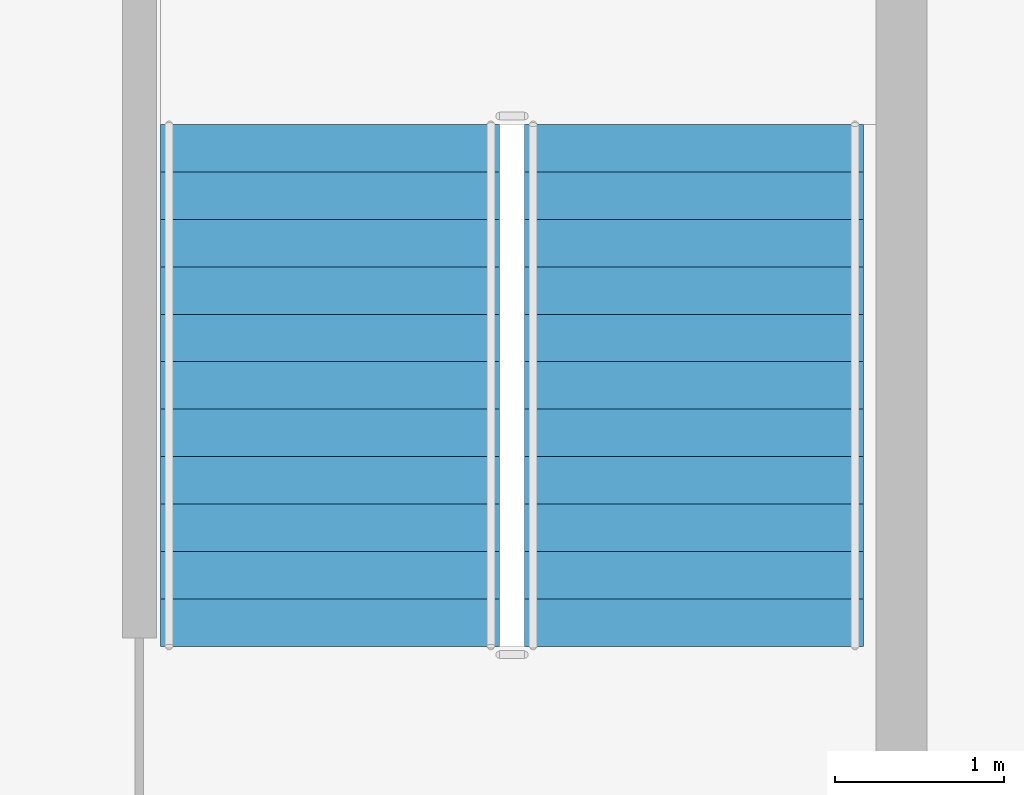
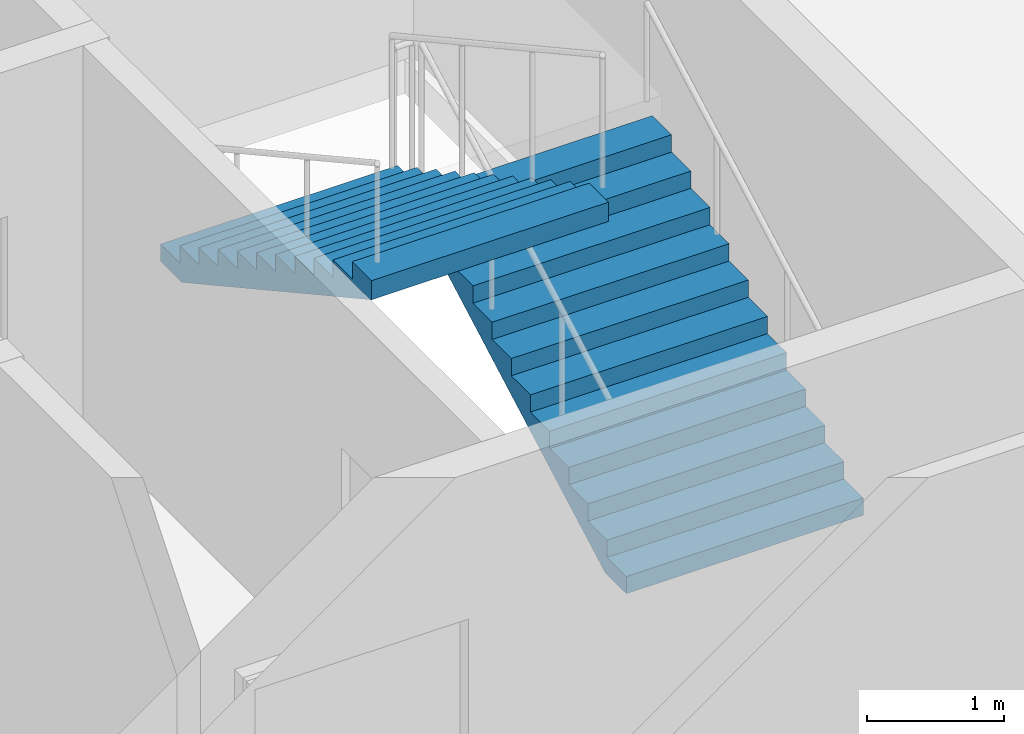
# One storey, part 9 of 12: 2 stair flights, 1 element without a shape of its own.
"""IFC4 building model written with IfcOpenShell, lengths in metres."""

from ifc_helpers import new_model, si_unit, direction, frame, origin, place, context, subcontext, project, spatial, polygons, material, type_object, element, aggregate, save


model = new_model("IFC4")

# Units and contexts
model_context = context("Model", 3, precision=1e-05, world=origin(), true_north=direction((0.0, 1.0)))
body_context = subcontext(model_context, "Body", "Model", "MODEL_VIEW")
ifc_project = project(units=[si_unit("LENGTHUNIT", "METRE"), si_unit("AREAUNIT", "SQUARE_METRE"), si_unit("VOLUMEUNIT", "CUBIC_METRE"), si_unit("PLANEANGLEUNIT", "RADIAN"), si_unit("MASSUNIT", "GRAM", prefix="KILO")], contexts=[model_context])

# Site, building, storey
site_placement = place(None, origin())
site = spatial("IfcSite", under=ifc_project, at=site_placement, CompositionType="ELEMENT")
building_placement = place(site_placement, origin())
building = spatial("IfcBuilding", under=site, at=building_placement, Name="Caravel Reach Hotel and Residences", CompositionType="ELEMENT")
storey_placement = place(building_placement, frame((0.0, 0.0, 241.60009765625)))
storey = spatial("IfcBuildingStorey", under=building, at=storey_placement, Name="L61", CompositionType="ELEMENT", Elevation=241.60009765625)

# Stair, stair flights
ifc_material_1 = material(Name="Concrete C40", Category="concrete")
stair_type = type_object("IfcStairType", Name="Core stair", PredefinedType="HALF_TURN_STAIR", material=ifc_material_1)
stair_placement = place(storey_placement, origin())
stair = element("IfcStair", 1, at=stair_placement, inside=storey, type_object=stair_type, Name="L61 Exit stair B", PredefinedType="HALF_TURN_STAIR")
ifc_material_2 = material(Name="Concrete C40", Category="concrete")
stair_flight_type = type_object("IfcStairFlightType", Name="Core stair flight", PredefinedType="STRAIGHT", material=ifc_material_2)
stair_flight_1_placement = place(storey_placement, frame((43.77490234375, 24.64990234375, 0.0), z_axis=(0.0, 0.0, 1.0), x_axis=(0.0, 1.0, 0.0)))
stair_flight_1 = element("IfcStairFlight", 2, at=stair_flight_1_placement, type_object=stair_flight_type, Name="ST-B flight 1", NumberOfRisers=12, NumberOfTreads=11, PredefinedType="STRAIGHT", RiserHeight=0.154166667, TreadLength=0.28, context=body_context, shape_type="Tessellation", body=[
    polygons([(0.3107950034306102, 1.0, 0.0), (0.3107950034306102, 0.6666666666666667, 0.0), (0.3107950034306102, 0.33333333333333337, 0.0), (0.3107950034306102, 0.0, 0.0), (0.3107950034306102, -0.33333333333333326, 0.0), (0.3107950034306102, -0.6666666666666667, 0.0), (0.3107950034306102, -1.0, 0.0), (3.081, 1.0, 1.524711087717319), (3.081, 0.6666666666666667, 1.524711087717319), (3.081, 0.33333333333333337, 1.524711087717319), (3.081, 0.0, 1.524711087717319), (3.081, -0.33333333333333326, 1.524711087717319), (3.081, -0.6666666666666667, 1.524711087717319), (3.081, -1.0, 1.524711087717319), (3.081, 1.0, 1.695833337), (3.081, 0.6666666666666667, 1.695833337), (3.081, 0.33333333333333337, 1.695833337), (3.081, 0.0, 1.695833337), (3.081, -0.33333333333333326, 1.695833337), (3.081, -0.6666666666666667, 1.695833337), (3.081, -1.0, 1.695833337), (2.8000000000000003, 1.0, 1.695833337), (2.8000000000000003, 0.6666666666666667, 1.695833337), (2.8000000000000003, 0.33333333333333337, 1.695833337), (2.8000000000000003, 0.0, 1.695833337), (2.8000000000000003, -0.33333333333333326, 1.695833337), (2.8000000000000003, -0.6666666666666667, 1.695833337), (2.8000000000000003, -1.0, 1.695833337), (2.8000000000000003, 1.0, 1.5416666700000001), (2.8000000000000003, 0.6666666666666667, 1.5416666700000001), (2.8000000000000003, 0.33333333333333337, 1.5416666700000001), (2.8000000000000003, 0.0, 1.5416666700000001), (2.8000000000000003, -0.33333333333333326, 1.5416666700000001), (2.8000000000000003, -0.6666666666666667, 1.5416666700000001), (2.8000000000000003, -1.0, 1.5416666700000001), (2.5200000000000005, 1.0, 1.5416666700000001), (2.5200000000000005, 0.6666666666666667, 1.5416666700000001), (2.5200000000000005, 0.33333333333333337, 1.5416666700000001), (2.5200000000000005, 0.0, 1.5416666700000001), (2.5200000000000005, -0.33333333333333326, 1.5416666700000001), (2.5200000000000005, -0.6666666666666667, 1.5416666700000001), (2.5200000000000005, -1.0, 1.5416666700000001), (2.5200000000000005, 1.0, 1.387500003), (2.5200000000000005, 0.6666666666666667, 1.387500003), (2.5200000000000005, 0.33333333333333337, 1.387500003), (2.5200000000000005, 0.0, 1.387500003), (2.5200000000000005, -0.33333333333333326, 1.387500003), (2.5200000000000005, -0.6666666666666667, 1.387500003), (2.5200000000000005, -1.0, 1.387500003), (2.24, 1.0, 1.387500003), (2.24, 0.6666666666666667, 1.387500003), (2.24, 0.33333333333333337, 1.387500003), (2.24, 0.0, 1.387500003), (2.24, -0.33333333333333326, 1.387500003), (2.24, -0.6666666666666667, 1.387500003), (2.24, -1.0, 1.387500003), (2.24, 1.0, 1.233333336), (2.24, 0.6666666666666667, 1.233333336), (2.24, 0.33333333333333337, 1.233333336), (2.24, 0.0, 1.233333336), (2.24, -0.33333333333333326, 1.233333336), (2.24, -0.6666666666666667, 1.233333336), (2.24, -1.0, 1.233333336), (1.9600000000000002, 1.0, 1.233333336), (1.9600000000000002, 0.6666666666666667, 1.233333336), (1.9600000000000002, 0.33333333333333337, 1.233333336), (1.9600000000000002, 0.0, 1.233333336), (1.9600000000000002, -0.33333333333333326, 1.233333336), (1.9600000000000002, -0.6666666666666667, 1.233333336), (1.9600000000000002, -1.0, 1.233333336), (1.9600000000000002, 1.0, 1.0791666690000001), (1.9600000000000002, 0.6666666666666667, 1.0791666690000001), (1.9600000000000002, 0.33333333333333337, 1.0791666690000001), (1.9600000000000002, 0.0, 1.0791666690000001), (1.9600000000000002, -0.33333333333333326, 1.0791666690000001), (1.9600000000000002, -0.6666666666666667, 1.0791666690000001), (1.9600000000000002, -1.0, 1.0791666690000001), (1.6800000000000002, 1.0, 1.0791666690000001), (1.6800000000000002, 0.6666666666666667, 1.0791666690000001), (1.6800000000000002, 0.33333333333333337, 1.0791666690000001), (1.6800000000000002, 0.0, 1.0791666690000001), (1.6800000000000002, -0.33333333333333326, 1.0791666690000001), (1.6800000000000002, -0.6666666666666667, 1.0791666690000001), (1.6800000000000002, -1.0, 1.0791666690000001), (1.6800000000000002, 1.0, 0.925000002), (1.6800000000000002, 0.6666666666666667, 0.925000002), (1.6800000000000002, 0.33333333333333337, 0.925000002), (1.6800000000000002, 0.0, 0.925000002), (1.6800000000000002, -0.33333333333333326, 0.925000002), (1.6800000000000002, -0.6666666666666667, 0.925000002), (1.6800000000000002, -1.0, 0.925000002), (1.4000000000000001, 1.0, 0.925000002), (1.4000000000000001, 0.6666666666666667, 0.925000002), (1.4000000000000001, 0.33333333333333337, 0.925000002), (1.4000000000000001, 0.0, 0.925000002), (1.4000000000000001, -0.33333333333333326, 0.925000002), (1.4000000000000001, -0.6666666666666667, 0.925000002), (1.4000000000000001, -1.0, 0.925000002), (1.4000000000000001, 1.0, 0.7708333350000001), (1.4000000000000001, 0.6666666666666667, 0.7708333350000001), (1.4000000000000001, 0.33333333333333337, 0.7708333350000001), (1.4000000000000001, 0.0, 0.7708333350000001), (1.4000000000000001, -0.33333333333333326, 0.7708333350000001), (1.4000000000000001, -0.6666666666666667, 0.7708333350000001), (1.4000000000000001, -1.0, 0.7708333350000001), (1.12, 1.0, 0.7708333350000001), (1.12, 0.6666666666666667, 0.7708333350000001), (1.12, 0.33333333333333337, 0.7708333350000001), (1.12, 0.0, 0.7708333350000001), (1.12, -0.33333333333333326, 0.7708333350000001), (1.12, -0.6666666666666667, 0.7708333350000001), (1.12, -1.0, 0.7708333350000001), (1.12, 1.0, 0.616666668), (1.12, 0.6666666666666667, 0.616666668), (1.12, 0.33333333333333337, 0.616666668), (1.12, 0.0, 0.616666668), (1.12, -0.33333333333333326, 0.616666668), (1.12, -0.6666666666666667, 0.616666668), (1.12, -1.0, 0.616666668), (0.8400000000000001, 1.0, 0.616666668), (0.8400000000000001, 0.6666666666666667, 0.616666668), (0.8400000000000001, 0.33333333333333337, 0.616666668), (0.8400000000000001, 0.0, 0.616666668), (0.8400000000000001, -0.33333333333333326, 0.616666668), (0.8400000000000001, -0.6666666666666667, 0.616666668), (0.8400000000000001, -1.0, 0.616666668), (0.8400000000000001, 1.0, 0.462500001), (0.8400000000000001, 0.6666666666666667, 0.462500001), (0.8400000000000001, 0.33333333333333337, 0.462500001), (0.8400000000000001, 0.0, 0.462500001), (0.8400000000000001, -0.33333333333333326, 0.462500001), (0.8400000000000001, -0.6666666666666667, 0.462500001), (0.8400000000000001, -1.0, 0.462500001), (0.56, 1.0, 0.462500001), (0.56, 0.6666666666666667, 0.462500001), (0.56, 0.33333333333333337, 0.462500001), (0.56, 0.0, 0.462500001), (0.56, -0.33333333333333326, 0.462500001), (0.56, -0.6666666666666667, 0.462500001), (0.56, -1.0, 0.462500001), (0.56, 1.0, 0.308333334), (0.56, 0.6666666666666667, 0.308333334), (0.56, 0.33333333333333337, 0.308333334), (0.56, 0.0, 0.308333334), (0.56, -0.33333333333333326, 0.308333334), (0.56, -0.6666666666666667, 0.308333334), (0.56, -1.0, 0.308333334), (0.28, 1.0, 0.308333334), (0.28, 0.6666666666666667, 0.308333334), (0.28, 0.33333333333333337, 0.308333334), (0.28, 0.0, 0.308333334), (0.28, -0.33333333333333326, 0.308333334), (0.28, -0.6666666666666667, 0.308333334), (0.28, -1.0, 0.308333334), (0.28, 1.0, 0.154166667), (0.28, 0.6666666666666667, 0.154166667), (0.28, 0.33333333333333337, 0.154166667), (0.28, 0.0, 0.154166667), (0.28, -0.33333333333333326, 0.154166667), (0.28, -0.6666666666666667, 0.154166667), (0.28, -1.0, 0.154166667), (-0.001, 1.0, 0.154166667), (-0.001, 0.6666666666666667, 0.154166667), (-0.001, 0.33333333333333337, 0.154166667), (-0.001, 0.0, 0.154166667), (-0.001, -0.33333333333333326, 0.154166667), (-0.001, -0.6666666666666667, 0.154166667), (-0.001, -1.0, 0.154166667), (-0.001, 1.0, 0.0), (-0.001, 0.6666666666666667, 0.0), (-0.001, 0.33333333333333337, 0.0), (-0.001, 0.0, 0.0), (-0.001, -0.33333333333333326, 0.0), (-0.001, -0.6666666666666667, 0.0), (-0.001, -1.0, 0.0)], [[[169, 162, 155, 148, 141, 134, 127, 120, 113, 106, 99, 92, 85, 78, 71, 64, 57, 50, 43, 36, 29, 22, 15, 8, 1]], [[7, 14, 21, 28, 35, 42, 49, 56, 63, 70, 77, 84, 91, 98, 105, 112, 119, 126, 133, 140, 147, 154, 161, 168, 175]], [[1, 8, 9, 2]], [[2, 9, 10, 3]], [[3, 10, 11, 4]], [[4, 11, 12, 5]], [[5, 12, 13, 6]], [[6, 13, 14, 7]], [[8, 15, 16, 9]], [[9, 16, 17, 10]], [[10, 17, 18, 11]], [[11, 18, 19, 12]], [[12, 19, 20, 13]], [[13, 20, 21, 14]], [[15, 22, 23, 16]], [[16, 23, 24, 17]], [[17, 24, 25, 18]], [[18, 25, 26, 19]], [[19, 26, 27, 20]], [[20, 27, 28, 21]], [[22, 29, 30, 23]], [[23, 30, 31, 24]], [[24, 31, 32, 25]], [[25, 32, 33, 26]], [[26, 33, 34, 27]], [[27, 34, 35, 28]], [[29, 36, 37, 30]], [[30, 37, 38, 31]], [[31, 38, 39, 32]], [[32, 39, 40, 33]], [[33, 40, 41, 34]], [[34, 41, 42, 35]], [[36, 43, 44, 37]], [[37, 44, 45, 38]], [[38, 45, 46, 39]], [[39, 46, 47, 40]], [[40, 47, 48, 41]], [[41, 48, 49, 42]], [[43, 50, 51, 44]], [[44, 51, 52, 45]], [[45, 52, 53, 46]], [[46, 53, 54, 47]], [[47, 54, 55, 48]], [[48, 55, 56, 49]], [[50, 57, 58, 51]], [[51, 58, 59, 52]], [[52, 59, 60, 53]], [[53, 60, 61, 54]], [[54, 61, 62, 55]], [[55, 62, 63, 56]], [[57, 64, 65, 58]], [[58, 65, 66, 59]], [[59, 66, 67, 60]], [[60, 67, 68, 61]], [[61, 68, 69, 62]], [[62, 69, 70, 63]], [[64, 71, 72, 65]], [[65, 72, 73, 66]], [[66, 73, 74, 67]], [[67, 74, 75, 68]], [[68, 75, 76, 69]], [[69, 76, 77, 70]], [[71, 78, 79, 72]], [[72, 79, 80, 73]], [[73, 80, 81, 74]], [[74, 81, 82, 75]], [[75, 82, 83, 76]], [[76, 83, 84, 77]], [[78, 85, 86, 79]], [[79, 86, 87, 80]], [[80, 87, 88, 81]], [[81, 88, 89, 82]], [[82, 89, 90, 83]], [[83, 90, 91, 84]], [[85, 92, 93, 86]], [[86, 93, 94, 87]], [[87, 94, 95, 88]], [[88, 95, 96, 89]], [[89, 96, 97, 90]], [[90, 97, 98, 91]], [[92, 99, 100, 93]], [[93, 100, 101, 94]], [[94, 101, 102, 95]], [[95, 102, 103, 96]], [[96, 103, 104, 97]], [[97, 104, 105, 98]], [[99, 106, 107, 100]], [[100, 107, 108, 101]], [[101, 108, 109, 102]], [[102, 109, 110, 103]], [[103, 110, 111, 104]], [[104, 111, 112, 105]], [[106, 113, 114, 107]], [[107, 114, 115, 108]], [[108, 115, 116, 109]], [[109, 116, 117, 110]], [[110, 117, 118, 111]], [[111, 118, 119, 112]], [[113, 120, 121, 114]], [[114, 121, 122, 115]], [[115, 122, 123, 116]], [[116, 123, 124, 117]], [[117, 124, 125, 118]], [[118, 125, 126, 119]], [[120, 127, 128, 121]], [[121, 128, 129, 122]], [[122, 129, 130, 123]], [[123, 130, 131, 124]], [[124, 131, 132, 125]], [[125, 132, 133, 126]], [[127, 134, 135, 128]], [[128, 135, 136, 129]], [[129, 136, 137, 130]], [[130, 137, 138, 131]], [[131, 138, 139, 132]], [[132, 139, 140, 133]], [[134, 141, 142, 135]], [[135, 142, 143, 136]], [[136, 143, 144, 137]], [[137, 144, 145, 138]], [[138, 145, 146, 139]], [[139, 146, 147, 140]], [[141, 148, 149, 142]], [[142, 149, 150, 143]], [[143, 150, 151, 144]], [[144, 151, 152, 145]], [[145, 152, 153, 146]], [[146, 153, 154, 147]], [[148, 155, 156, 149]], [[149, 156, 157, 150]], [[150, 157, 158, 151]], [[151, 158, 159, 152]], [[152, 159, 160, 153]], [[153, 160, 161, 154]], [[155, 162, 163, 156]], [[156, 163, 164, 157]], [[157, 164, 165, 158]], [[158, 165, 166, 159]], [[159, 166, 167, 160]], [[160, 167, 168, 161]], [[162, 169, 170, 163]], [[163, 170, 171, 164]], [[164, 171, 172, 165]], [[165, 172, 173, 166]], [[166, 173, 174, 167]], [[167, 174, 175, 168]], [[169, 1, 2, 170]], [[170, 2, 3, 171]], [[171, 3, 4, 172]], [[172, 4, 5, 173]], [[173, 5, 6, 174]], [[174, 6, 7, 175]]], closed=True),
])
stair_flight_2_placement = place(storey_placement, frame((41.625, 27.72998046875, 1.849853515625), z_axis=(0.0, 0.0, 1.0), x_axis=(0.0, -1.0, 0.0)))
stair_flight_2 = element("IfcStairFlight", 3, at=stair_flight_2_placement, type_object=stair_flight_type, Name="ST-B flight 2", NumberOfRisers=12, NumberOfTreads=11, PredefinedType="STRAIGHT", RiserHeight=0.154166667, TreadLength=0.28, context=body_context, shape_type="Tessellation", body=[
    polygons([(0.3107950034306102, 1.0, 0.0), (0.3107950034306102, 0.6666666666666667, 0.0), (0.3107950034306102, 0.33333333333333337, 0.0), (0.3107950034306102, 0.0, 0.0), (0.3107950034306102, -0.33333333333333326, 0.0), (0.3107950034306102, -0.6666666666666667, 0.0), (0.3107950034306102, -1.0, 0.0), (3.081, 1.0, 1.524711087717319), (3.081, 0.6666666666666667, 1.524711087717319), (3.081, 0.33333333333333337, 1.524711087717319), (3.081, 0.0, 1.524711087717319), (3.081, -0.33333333333333326, 1.524711087717319), (3.081, -0.6666666666666667, 1.524711087717319), (3.081, -1.0, 1.524711087717319), (3.081, 1.0, 1.695833337), (3.081, 0.6666666666666667, 1.695833337), (3.081, 0.33333333333333337, 1.695833337), (3.081, 0.0, 1.695833337), (3.081, -0.33333333333333326, 1.695833337), (3.081, -0.6666666666666667, 1.695833337), (3.081, -1.0, 1.695833337), (2.8000000000000003, 1.0, 1.695833337), (2.8000000000000003, 0.6666666666666667, 1.695833337), (2.8000000000000003, 0.33333333333333337, 1.695833337), (2.8000000000000003, 0.0, 1.695833337), (2.8000000000000003, -0.33333333333333326, 1.695833337), (2.8000000000000003, -0.6666666666666667, 1.695833337), (2.8000000000000003, -1.0, 1.695833337), (2.8000000000000003, 1.0, 1.5416666700000001), (2.8000000000000003, 0.6666666666666667, 1.5416666700000001), (2.8000000000000003, 0.33333333333333337, 1.5416666700000001), (2.8000000000000003, 0.0, 1.5416666700000001), (2.8000000000000003, -0.33333333333333326, 1.5416666700000001), (2.8000000000000003, -0.6666666666666667, 1.5416666700000001), (2.8000000000000003, -1.0, 1.5416666700000001), (2.5200000000000005, 1.0, 1.5416666700000001), (2.5200000000000005, 0.6666666666666667, 1.5416666700000001), (2.5200000000000005, 0.33333333333333337, 1.5416666700000001), (2.5200000000000005, 0.0, 1.5416666700000001), (2.5200000000000005, -0.33333333333333326, 1.5416666700000001), (2.5200000000000005, -0.6666666666666667, 1.5416666700000001), (2.5200000000000005, -1.0, 1.5416666700000001), (2.5200000000000005, 1.0, 1.387500003), (2.5200000000000005, 0.6666666666666667, 1.387500003), (2.5200000000000005, 0.33333333333333337, 1.387500003), (2.5200000000000005, 0.0, 1.387500003), (2.5200000000000005, -0.33333333333333326, 1.387500003), (2.5200000000000005, -0.6666666666666667, 1.387500003), (2.5200000000000005, -1.0, 1.387500003), (2.24, 1.0, 1.387500003), (2.24, 0.6666666666666667, 1.387500003), (2.24, 0.33333333333333337, 1.387500003), (2.24, 0.0, 1.387500003), (2.24, -0.33333333333333326, 1.387500003), (2.24, -0.6666666666666667, 1.387500003), (2.24, -1.0, 1.387500003), (2.24, 1.0, 1.233333336), (2.24, 0.6666666666666667, 1.233333336), (2.24, 0.33333333333333337, 1.233333336), (2.24, 0.0, 1.233333336), (2.24, -0.33333333333333326, 1.233333336), (2.24, -0.6666666666666667, 1.233333336), (2.24, -1.0, 1.233333336), (1.9600000000000002, 1.0, 1.233333336), (1.9600000000000002, 0.6666666666666667, 1.233333336), (1.9600000000000002, 0.33333333333333337, 1.233333336), (1.9600000000000002, 0.0, 1.233333336), (1.9600000000000002, -0.33333333333333326, 1.233333336), (1.9600000000000002, -0.6666666666666667, 1.233333336), (1.9600000000000002, -1.0, 1.233333336), (1.9600000000000002, 1.0, 1.0791666690000001), (1.9600000000000002, 0.6666666666666667, 1.0791666690000001), (1.9600000000000002, 0.33333333333333337, 1.0791666690000001), (1.9600000000000002, 0.0, 1.0791666690000001), (1.9600000000000002, -0.33333333333333326, 1.0791666690000001), (1.9600000000000002, -0.6666666666666667, 1.0791666690000001), (1.9600000000000002, -1.0, 1.0791666690000001), (1.6800000000000002, 1.0, 1.0791666690000001), (1.6800000000000002, 0.6666666666666667, 1.0791666690000001), (1.6800000000000002, 0.33333333333333337, 1.0791666690000001), (1.6800000000000002, 0.0, 1.0791666690000001), (1.6800000000000002, -0.33333333333333326, 1.0791666690000001), (1.6800000000000002, -0.6666666666666667, 1.0791666690000001), (1.6800000000000002, -1.0, 1.0791666690000001), (1.6800000000000002, 1.0, 0.925000002), (1.6800000000000002, 0.6666666666666667, 0.925000002), (1.6800000000000002, 0.33333333333333337, 0.925000002), (1.6800000000000002, 0.0, 0.925000002), (1.6800000000000002, -0.33333333333333326, 0.925000002), (1.6800000000000002, -0.6666666666666667, 0.925000002), (1.6800000000000002, -1.0, 0.925000002), (1.4000000000000001, 1.0, 0.925000002), (1.4000000000000001, 0.6666666666666667, 0.925000002), (1.4000000000000001, 0.33333333333333337, 0.925000002), (1.4000000000000001, 0.0, 0.925000002), (1.4000000000000001, -0.33333333333333326, 0.925000002), (1.4000000000000001, -0.6666666666666667, 0.925000002), (1.4000000000000001, -1.0, 0.925000002), (1.4000000000000001, 1.0, 0.7708333350000001), (1.4000000000000001, 0.6666666666666667, 0.7708333350000001), (1.4000000000000001, 0.33333333333333337, 0.7708333350000001), (1.4000000000000001, 0.0, 0.7708333350000001), (1.4000000000000001, -0.33333333333333326, 0.7708333350000001), (1.4000000000000001, -0.6666666666666667, 0.7708333350000001), (1.4000000000000001, -1.0, 0.7708333350000001), (1.12, 1.0, 0.7708333350000001), (1.12, 0.6666666666666667, 0.7708333350000001), (1.12, 0.33333333333333337, 0.7708333350000001), (1.12, 0.0, 0.7708333350000001), (1.12, -0.33333333333333326, 0.7708333350000001), (1.12, -0.6666666666666667, 0.7708333350000001), (1.12, -1.0, 0.7708333350000001), (1.12, 1.0, 0.616666668), (1.12, 0.6666666666666667, 0.616666668), (1.12, 0.33333333333333337, 0.616666668), (1.12, 0.0, 0.616666668), (1.12, -0.33333333333333326, 0.616666668), (1.12, -0.6666666666666667, 0.616666668), (1.12, -1.0, 0.616666668), (0.8400000000000001, 1.0, 0.616666668), (0.8400000000000001, 0.6666666666666667, 0.616666668), (0.8400000000000001, 0.33333333333333337, 0.616666668), (0.8400000000000001, 0.0, 0.616666668), (0.8400000000000001, -0.33333333333333326, 0.616666668), (0.8400000000000001, -0.6666666666666667, 0.616666668), (0.8400000000000001, -1.0, 0.616666668), (0.8400000000000001, 1.0, 0.462500001), (0.8400000000000001, 0.6666666666666667, 0.462500001), (0.8400000000000001, 0.33333333333333337, 0.462500001), (0.8400000000000001, 0.0, 0.462500001), (0.8400000000000001, -0.33333333333333326, 0.462500001), (0.8400000000000001, -0.6666666666666667, 0.462500001), (0.8400000000000001, -1.0, 0.462500001), (0.56, 1.0, 0.462500001), (0.56, 0.6666666666666667, 0.462500001), (0.56, 0.33333333333333337, 0.462500001), (0.56, 0.0, 0.462500001), (0.56, -0.33333333333333326, 0.462500001), (0.56, -0.6666666666666667, 0.462500001), (0.56, -1.0, 0.462500001), (0.56, 1.0, 0.308333334), (0.56, 0.6666666666666667, 0.308333334), (0.56, 0.33333333333333337, 0.308333334), (0.56, 0.0, 0.308333334), (0.56, -0.33333333333333326, 0.308333334), (0.56, -0.6666666666666667, 0.308333334), (0.56, -1.0, 0.308333334), (0.28, 1.0, 0.308333334), (0.28, 0.6666666666666667, 0.308333334), (0.28, 0.33333333333333337, 0.308333334), (0.28, 0.0, 0.308333334), (0.28, -0.33333333333333326, 0.308333334), (0.28, -0.6666666666666667, 0.308333334), (0.28, -1.0, 0.308333334), (0.28, 1.0, 0.154166667), (0.28, 0.6666666666666667, 0.154166667), (0.28, 0.33333333333333337, 0.154166667), (0.28, 0.0, 0.154166667), (0.28, -0.33333333333333326, 0.154166667), (0.28, -0.6666666666666667, 0.154166667), (0.28, -1.0, 0.154166667), (-0.001, 1.0, 0.154166667), (-0.001, 0.6666666666666667, 0.154166667), (-0.001, 0.33333333333333337, 0.154166667), (-0.001, 0.0, 0.154166667), (-0.001, -0.33333333333333326, 0.154166667), (-0.001, -0.6666666666666667, 0.154166667), (-0.001, -1.0, 0.154166667), (-0.001, 1.0, 0.0), (-0.001, 0.6666666666666667, 0.0), (-0.001, 0.33333333333333337, 0.0), (-0.001, 0.0, 0.0), (-0.001, -0.33333333333333326, 0.0), (-0.001, -0.6666666666666667, 0.0), (-0.001, -1.0, 0.0)], [[[169, 162, 155, 148, 141, 134, 127, 120, 113, 106, 99, 92, 85, 78, 71, 64, 57, 50, 43, 36, 29, 22, 15, 8, 1]], [[7, 14, 21, 28, 35, 42, 49, 56, 63, 70, 77, 84, 91, 98, 105, 112, 119, 126, 133, 140, 147, 154, 161, 168, 175]], [[1, 8, 9, 2]], [[2, 9, 10, 3]], [[3, 10, 11, 4]], [[4, 11, 12, 5]], [[5, 12, 13, 6]], [[6, 13, 14, 7]], [[8, 15, 16, 9]], [[9, 16, 17, 10]], [[10, 17, 18, 11]], [[11, 18, 19, 12]], [[12, 19, 20, 13]], [[13, 20, 21, 14]], [[15, 22, 23, 16]], [[16, 23, 24, 17]], [[17, 24, 25, 18]], [[18, 25, 26, 19]], [[19, 26, 27, 20]], [[20, 27, 28, 21]], [[22, 29, 30, 23]], [[23, 30, 31, 24]], [[24, 31, 32, 25]], [[25, 32, 33, 26]], [[26, 33, 34, 27]], [[27, 34, 35, 28]], [[29, 36, 37, 30]], [[30, 37, 38, 31]], [[31, 38, 39, 32]], [[32, 39, 40, 33]], [[33, 40, 41, 34]], [[34, 41, 42, 35]], [[36, 43, 44, 37]], [[37, 44, 45, 38]], [[38, 45, 46, 39]], [[39, 46, 47, 40]], [[40, 47, 48, 41]], [[41, 48, 49, 42]], [[43, 50, 51, 44]], [[44, 51, 52, 45]], [[45, 52, 53, 46]], [[46, 53, 54, 47]], [[47, 54, 55, 48]], [[48, 55, 56, 49]], [[50, 57, 58, 51]], [[51, 58, 59, 52]], [[52, 59, 60, 53]], [[53, 60, 61, 54]], [[54, 61, 62, 55]], [[55, 62, 63, 56]], [[57, 64, 65, 58]], [[58, 65, 66, 59]], [[59, 66, 67, 60]], [[60, 67, 68, 61]], [[61, 68, 69, 62]], [[62, 69, 70, 63]], [[64, 71, 72, 65]], [[65, 72, 73, 66]], [[66, 73, 74, 67]], [[67, 74, 75, 68]], [[68, 75, 76, 69]], [[69, 76, 77, 70]], [[71, 78, 79, 72]], [[72, 79, 80, 73]], [[73, 80, 81, 74]], [[74, 81, 82, 75]], [[75, 82, 83, 76]], [[76, 83, 84, 77]], [[78, 85, 86, 79]], [[79, 86, 87, 80]], [[80, 87, 88, 81]], [[81, 88, 89, 82]], [[82, 89, 90, 83]], [[83, 90, 91, 84]], [[85, 92, 93, 86]], [[86, 93, 94, 87]], [[87, 94, 95, 88]], [[88, 95, 96, 89]], [[89, 96, 97, 90]], [[90, 97, 98, 91]], [[92, 99, 100, 93]], [[93, 100, 101, 94]], [[94, 101, 102, 95]], [[95, 102, 103, 96]], [[96, 103, 104, 97]], [[97, 104, 105, 98]], [[99, 106, 107, 100]], [[100, 107, 108, 101]], [[101, 108, 109, 102]], [[102, 109, 110, 103]], [[103, 110, 111, 104]], [[104, 111, 112, 105]], [[106, 113, 114, 107]], [[107, 114, 115, 108]], [[108, 115, 116, 109]], [[109, 116, 117, 110]], [[110, 117, 118, 111]], [[111, 118, 119, 112]], [[113, 120, 121, 114]], [[114, 121, 122, 115]], [[115, 122, 123, 116]], [[116, 123, 124, 117]], [[117, 124, 125, 118]], [[118, 125, 126, 119]], [[120, 127, 128, 121]], [[121, 128, 129, 122]], [[122, 129, 130, 123]], [[123, 130, 131, 124]], [[124, 131, 132, 125]], [[125, 132, 133, 126]], [[127, 134, 135, 128]], [[128, 135, 136, 129]], [[129, 136, 137, 130]], [[130, 137, 138, 131]], [[131, 138, 139, 132]], [[132, 139, 140, 133]], [[134, 141, 142, 135]], [[135, 142, 143, 136]], [[136, 143, 144, 137]], [[137, 144, 145, 138]], [[138, 145, 146, 139]], [[139, 146, 147, 140]], [[141, 148, 149, 142]], [[142, 149, 150, 143]], [[143, 150, 151, 144]], [[144, 151, 152, 145]], [[145, 152, 153, 146]], [[146, 153, 154, 147]], [[148, 155, 156, 149]], [[149, 156, 157, 150]], [[150, 157, 158, 151]], [[151, 158, 159, 152]], [[152, 159, 160, 153]], [[153, 160, 161, 154]], [[155, 162, 163, 156]], [[156, 163, 164, 157]], [[157, 164, 165, 158]], [[158, 165, 166, 159]], [[159, 166, 167, 160]], [[160, 167, 168, 161]], [[162, 169, 170, 163]], [[163, 170, 171, 164]], [[164, 171, 172, 165]], [[165, 172, 173, 166]], [[166, 173, 174, 167]], [[167, 174, 175, 168]], [[169, 1, 2, 170]], [[170, 2, 3, 171]], [[171, 3, 4, 172]], [[172, 4, 5, 173]], [[173, 5, 6, 174]], [[174, 6, 7, 175]]], closed=True),
])
aggregate(stair, [stair_flight_1, stair_flight_2])

save(model, "model.ifc")
